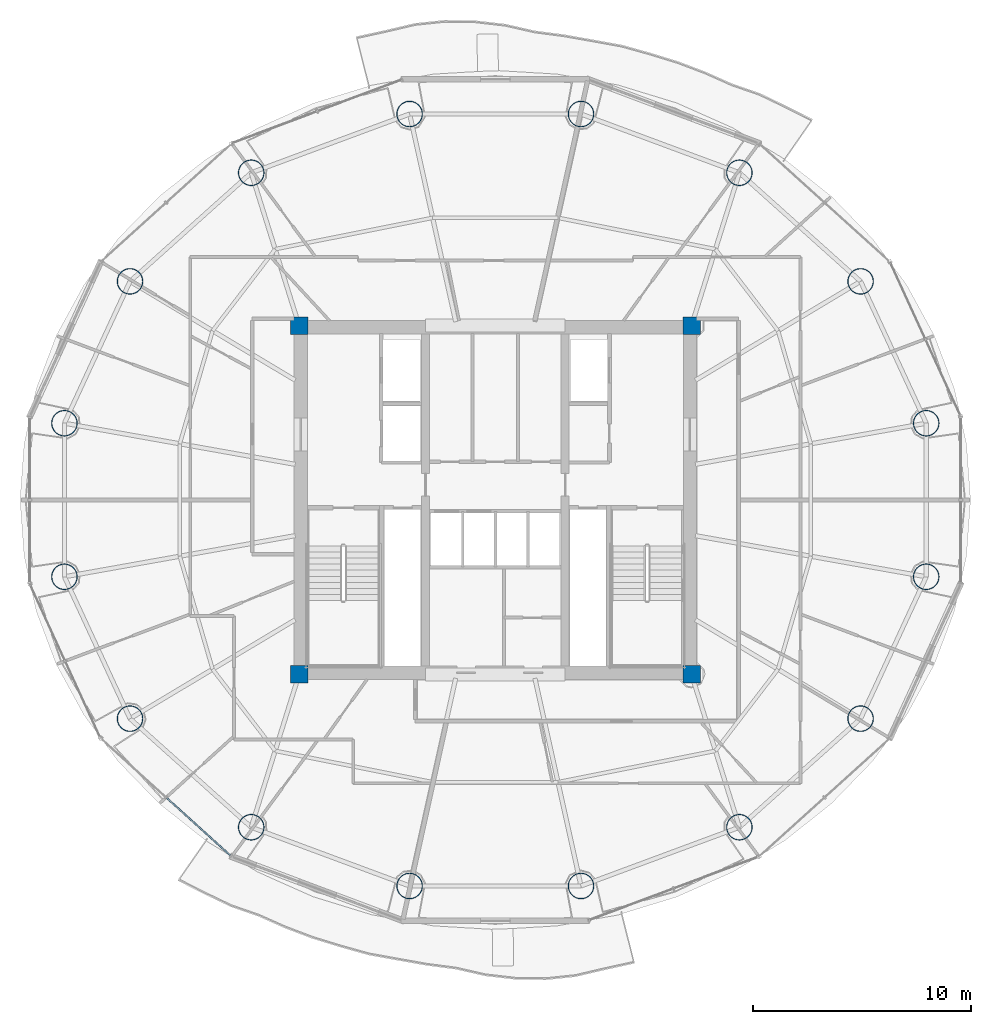
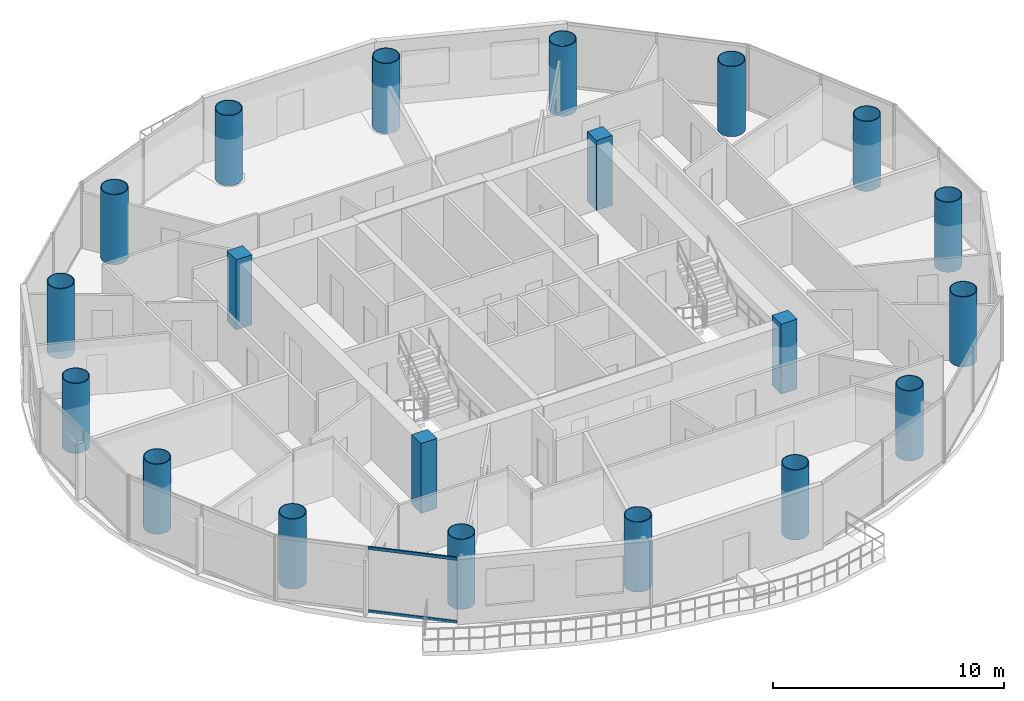
# One storey, part 1 of 26: 20 columns, 2 members, 1 element without a shape of its own.
"""IFC4 building model written with IfcOpenShell, lengths in metres."""

from ifc_helpers import new_model, si_unit, direction, frame, origin, origin_2d, place, context, subcontext, project, spatial, rectangle, hollow_rectangle, hollow_circle, extrude, source, transform, mapped, material, material_profile, profile_set, type_object, element, aggregate, save


model = new_model("IFC4")

# Units and contexts
model_context = context("Model", 3, precision=1e-05, world=origin(), true_north=direction((-0.2419218956, 0.970295726276)))
body_context = subcontext(model_context, "Body", "Model", "MODEL_VIEW")
ifc_project = project(units=[si_unit("LENGTHUNIT", "METRE"), si_unit("AREAUNIT", "SQUARE_METRE"), si_unit("VOLUMEUNIT", "CUBIC_METRE"), si_unit("PLANEANGLEUNIT", "RADIAN"), si_unit("MASSUNIT", "GRAM", prefix="KILO")], contexts=[model_context])

# Site, building, storey
site_placement = place(None, origin())
site = spatial("IfcSite", under=ifc_project, at=site_placement, CompositionType="ELEMENT")
building_placement = place(site_placement, origin())
building = spatial("IfcBuilding", under=site, at=building_placement, Name="Cobrevalo Terracotta Tower", CompositionType="ELEMENT")
storey_placement = place(building_placement, frame((0.0, 0.0, 217.10009765625)))
storey = spatial("IfcBuildingStorey", under=building, at=storey_placement, Name="L57", CompositionType="ELEMENT", Elevation=217.10009765625)

# Columns
ifc_material_1 = material(Name="Steel S355", Category="steel")
ifc_material_profile_1 = material_profile(ifc_material_1, hollow_circle(Radius=0.60009765625, WallThickness=0.0380859375, at=origin_2d()), Name="CHS 1200x38")
ifc_profile_set_1 = profile_set([ifc_material_profile_1], Name="Steel S355")
column_type_1 = type_object("IfcColumnType", Name="Structural Column CHS 1200x38 (Steel S355)", PredefinedType="COLUMN", material=ifc_profile_set_1)
for number, where, z_axis, x_axis, name in (
    (1, (57.762939453125, 30.3212890625, 0.0), (0.0, 0.0, 1.0), (1.0, 0.0, 0.0), "L57 composite megacolumn MC01"),
    (2, (54.754150390625, 36.828125, 0.0), (0.0, 0.0, 1.0), (1.0, 0.0, 0.0), "L57 composite megacolumn MC02"),
    (3, (49.19482421875, 41.80810546875, 0.0), (0.0, 0.0, 1.0), (1.0, 0.0, 0.0), "L57 composite megacolumn MC03"),
    (4, (41.93115234375, 44.503173828125, 0.0), (0.0, 0.0, 1.0), (1.0, 0.0, 0.0), "L57 composite megacolumn MC04"),
    (5, (34.06884765625, 44.503173828125, 0.0), (0.0, 0.0, 1.0), (1.0, 0.0, 0.0), "L57 composite megacolumn MC05"),
    (6, (26.80517578125, 41.80810546875, 0.0), (0.0, 0.0, 1.0), (1.0, 0.0, 0.0), "L57 composite megacolumn MC06"),
    (7, (21.245849609375, 36.828125, 0.0), (0.0, 0.0, 1.0), (1.0, 0.0, 0.0), "L57 composite megacolumn MC07"),
    (8, (18.237060546875, 30.3212890625, 0.0), (0.0, 0.0, 1.0), (1.0, 0.0, 0.0), "L57 composite megacolumn MC08"),
    (9, (18.237060546875, 23.278564453125, 0.0), (0.0, 0.0, 1.0), (1.0, 0.0, 0.0), "L57 composite megacolumn MC09"),
    (10, (21.245849609375, 16.77197265625, 0.0), (0.0, 0.0, 1.0), (1.0, 0.0, 0.0), "L57 composite megacolumn MC10"),
    (11, (26.80517578125, 11.7919921875, 0.0), (0.0, 0.0, 1.0), (1.0, 0.0, 0.0), "L57 composite megacolumn MC11"),
    (12, (34.06884765625, 9.096923828125, 0.0), (0.0, 0.0, 1.0), (1.0, 0.0, 0.0), "L57 composite megacolumn MC12"),
    (13, (41.93115234375, 9.096923828125, 0.0), (0.0, 0.0, 1.0), (1.0, 0.0, 0.0), "L57 composite megacolumn MC13"),
    (14, (49.19482421875, 11.7919921875, 0.0), (0.0, 0.0, 1.0), (1.0, 0.0, 0.0), "L57 composite megacolumn MC14"),
    (15, (54.754150390625, 16.77197265625, 0.0), (0.0, 0.0, 1.0), (1.0, 0.0, 0.0), "L57 composite megacolumn MC15"),
    (16, (57.762939453125, 23.278564453125, 0.0), (0.0, 0.0, 1.0), (1.0, 0.0, 0.0), "L57 composite megacolumn MC16"),
):
    element("IfcColumn", number, at=place(storey_placement, frame(where, z_axis=z_axis, x_axis=x_axis)), inside=storey, type_object=column_type_1, Name=name, PredefinedType="COLUMN", context=body_context, shape_type="SweptSolid", body=[
        extrude(hollow_circle(Radius=0.60009765625, WallThickness=0.0380859375, at=origin_2d()), origin(), (0.0, 0.0, 1.0), 3.699951171875),
    ])
ifc_material_2 = material(Name="Concrete C50", Category="concrete")
ifc_material_profile_2 = material_profile(ifc_material_2, rectangle(XDim=0.800048828125, YDim=0.800048828125, at=origin_2d()), Name="RC COL 800x800")
ifc_profile_set_2 = profile_set([ifc_material_profile_2], Name="Concrete C50")
column_type_2 = type_object("IfcColumnType", Name="Structural Column RC COL 800x800 (Concrete C50)", PredefinedType="COLUMN", material=ifc_profile_set_2)
for number, where, z_axis, x_axis, name in (
    (17, (29.0, 18.800048828125, 0.0), (0.0, 0.0, 1.0), (1.0, 0.0, 0.0), "L57 core corner column CC1"),
    (18, (47.0, 18.800048828125, 0.0), (0.0, 0.0, 1.0), (1.0, 0.0, 0.0), "L57 core corner column CC2"),
    (19, (47.0, 34.800048828125, 0.0), (0.0, 0.0, 1.0), (1.0, 0.0, 0.0), "L57 core corner column CC3"),
    (20, (29.0, 34.800048828125, 0.0), (0.0, 0.0, 1.0), (1.0, 0.0, 0.0), "L57 core corner column CC4"),
):
    element("IfcColumn", number, at=place(storey_placement, frame(where, z_axis=z_axis, x_axis=x_axis)), inside=storey, type_object=column_type_2, Name=name, PredefinedType="COLUMN", context=body_context, shape_type="SweptSolid", body=[
        extrude(rectangle(XDim=0.800048828125, YDim=0.800048828125, at=origin_2d()), origin(), (0.0, 0.0, 1.0), 3.699951171875),
    ])

# Curtain wall, members
ifc_material_3 = material(Name="Anodized aluminium", Category="aluminium")
curtain_wall_type = type_object("IfcCurtainWallType", Name="Mid-tower high-wind unitised curtain wall CW-U2", PredefinedType="NOTDEFINED", material=ifc_material_3)
curtain_wall_placement = place(storey_placement, origin())
curtain_wall = element("IfcCurtainWall", 21, at=curtain_wall_placement, inside=storey, type_object=curtain_wall_type, Name="L57 curtain wall CW-L57-S10", PredefinedType="NOTDEFINED")
ifc_material_profile_3 = material_profile(ifc_material_3, hollow_rectangle(XDim=0.074951171875, YDim=0.14990234375, WallThickness=0.00439453125, at=origin_2d()), Name="CWT 75x150")
ifc_profile_set_3 = profile_set([ifc_material_profile_3], Name="Anodized aluminium")
member_type = type_object("IfcMemberType", Name="Tower unitised aluminium transom 75x150", PredefinedType="USERDEFINED", material=ifc_profile_set_3)
shared_shape = source(origin(), body_context, "Body", "SweptSolid", [
    extrude(hollow_rectangle(XDim=0.074951171875, YDim=0.14990234375, WallThickness=0.00439453125, at=origin_2d()), origin(), (0.0, 0.0, 1.0), 3.927734375),
])
member_1_placement = place(storey_placement, frame((22.931640625, 13.131591796875, 0.0498046875), z_axis=(0.742003891138, -0.670395573923, 0.0), x_axis=(0.670395573923, 0.742003891138, 0.0)))
member_1 = element("IfcMember", 22, at=member_1_placement, type_object=member_type, Name="CW-L57-S10 transom B02-T1", ObjectType="TRANSOM", PredefinedType="USERDEFINED", context=body_context, shape_type="MappedRepresentation", body=[
    mapped(shared_shape, transform((0.0, 0.0, 0.0), scale=1.0)),
])
member_2_placement = place(storey_placement, frame((22.931640625, 13.131591796875, 3.385009765625), z_axis=(0.742003891138, -0.670395573923, 0.0), x_axis=(0.670395573923, 0.742003891138, 0.0)))
member_2 = element("IfcMember", 23, at=member_2_placement, type_object=member_type, Name="CW-L57-S10 transom B02-T2", ObjectType="TRANSOM", PredefinedType="USERDEFINED", context=body_context, shape_type="MappedRepresentation", body=[
    mapped(shared_shape, transform((0.0, 0.0, 0.0), scale=1.0)),
])
aggregate(curtain_wall, [member_1, member_2])

save(model, "model.ifc")
